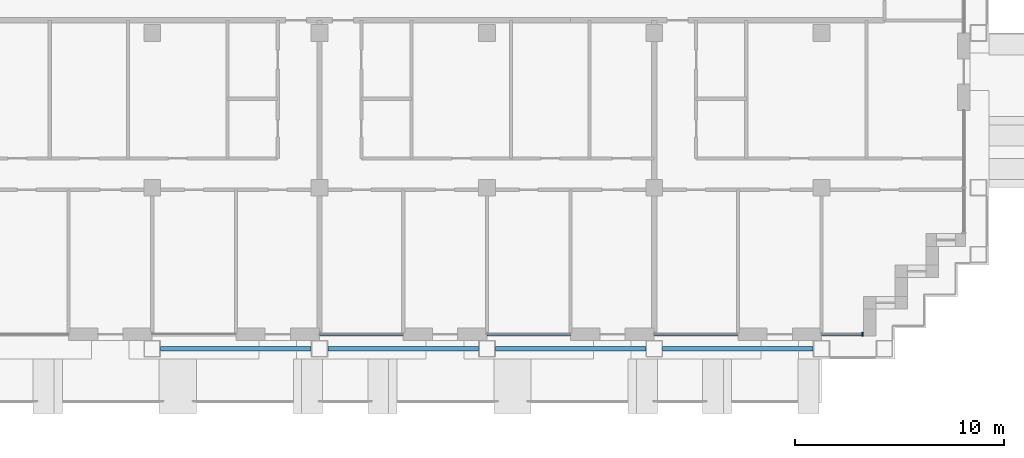
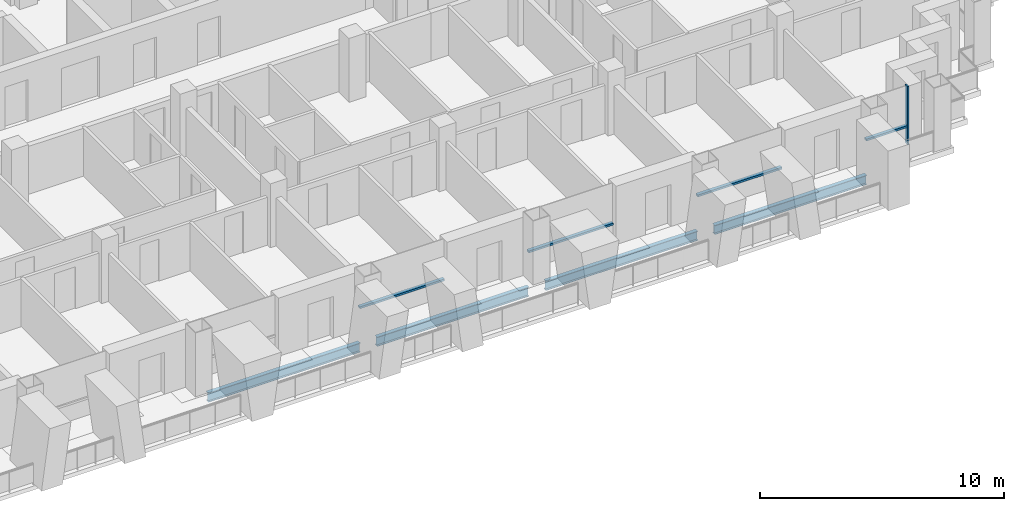
# One storey, part 3 of 17: 5 members, 4 beams, 4 elements without a shape of their own.
"""IFC4 building model written with IfcOpenShell, lengths in metres."""

import ifcopenshell
import ifcopenshell.guid

model = None  # the IFC model being written
_history = None  # IfcOwnerHistory: only IFC2X3 demands one
_inside = {}  # id of a spatial element -> (the spatial element, [elements in it])
_under = {}  # id of a project, library or spatial element -> (it, [spatial elements below it])
_declared = {}  # id of a project -> (the project, [libraries it declares])
_typed = {}  # id of a type object -> (the type object, [elements of that type])
_made_of = {}  # id of a material, layer set ... -> (it, [elements and type objects made of it])


def new_model(schema):
    """Start an empty IFC model of exactly this schema.

    Asked for "IFC4X3", IfcOpenShell would pick the latest addendum, in which some entities
    have other attributes; the version numbers below select the first issue.
    IFC2X3 requires an IfcOwnerHistory on every rooted entity: one is made here for all.
    """
    global model, _history
    if schema == "IFC4X3":
        model = ifcopenshell.file(schema_version=(4, 3, 0, 0))
    else:
        model = ifcopenshell.file(schema=schema)
    _inside.clear()
    _under.clear()
    _declared.clear()
    _typed.clear()
    _made_of.clear()
    _history = None
    if model.schema == "IFC2X3":
        org = make("IfcOrganization", Name="unknown")
        user = make(
            "IfcPersonAndOrganization",
            ThePerson=make("IfcPerson", FamilyName="unknown"),
            TheOrganization=org,
        )
        app = make(
            "IfcApplication",
            ApplicationDeveloper=org,
            Version="unknown",
            ApplicationFullName="unknown",
            ApplicationIdentifier="unknown",
        )
        _history = make(
            "IfcOwnerHistory",
            OwningUser=user,
            OwningApplication=app,
            ChangeAction="ADDED",
            CreationDate=0,
        )
    return model


def make(cls, **values):
    """One entity of the class cls with the attributes given. An attribute that is None is left unset."""
    return model.create_entity(
        cls, **{name: value for name, value in values.items() if value is not None}
    )


def rooted(cls, **values):
    """An entity with a GlobalId (a new one), such as an element, a storey or a relation."""
    return make(cls, GlobalId=ifcopenshell.guid.new(), OwnerHistory=_history, **values)


def si_unit(unit_type, name, prefix=None):
    """IfcSIUnit, for example si_unit("LENGTHUNIT", "METRE", prefix="MILLI")."""
    return make("IfcSIUnit", UnitType=unit_type, Prefix=prefix, Name=name)


def assignment(units):
    """IfcUnitAssignment: the units of a project."""
    return None if units is None else make("IfcUnitAssignment", Units=units)


def point(xyz):
    """IfcCartesianPoint."""
    return None if xyz is None else make("IfcCartesianPoint", Coordinates=xyz)


def direction(xyz):
    """IfcDirection."""
    return None if xyz is None else make("IfcDirection", DirectionRatios=xyz)


def frame(location, z_axis=None, x_axis=None):
    """IfcAxis2Placement3D, a coordinate frame: its origin and axes. An axis left out is left unset."""
    return make(
        "IfcAxis2Placement3D",
        Location=point(location),
        Axis=direction(z_axis),
        RefDirection=direction(x_axis),
    )


def frame_2d(location, x_axis=None):
    """IfcAxis2Placement2D, a coordinate frame in the plane: its origin and x axis."""
    return make(
        "IfcAxis2Placement2D", Location=point(location), RefDirection=direction(x_axis)
    )


def origin():
    """The frame at (0, 0, 0) with its axes left unset."""
    return frame((0.0, 0.0, 0.0))


def origin_2d():
    """The frame at (0, 0) in the plane with its x axis left unset."""
    return frame_2d((0.0, 0.0))


def place(relative_to, where):
    """IfcLocalPlacement: puts the frame where relative to a parent placement (None: the world)."""
    return make(
        "IfcLocalPlacement", PlacementRelTo=relative_to, RelativePlacement=where
    )


def context(
    kind, dimensions, precision=None, world=None, true_north=None, identifier=None
):
    """IfcGeometricRepresentationContext, for example the 3D "Model" context."""
    return make(
        "IfcGeometricRepresentationContext",
        ContextIdentifier=identifier,
        ContextType=kind,
        CoordinateSpaceDimension=dimensions,
        Precision=precision,
        WorldCoordinateSystem=world,
        TrueNorth=true_north,
    )


def subcontext(parent, identifier, kind, view, scale=None):
    """IfcGeometricRepresentationSubContext, for example "Body" below "Model"."""
    return make(
        "IfcGeometricRepresentationSubContext",
        ContextIdentifier=identifier,
        ContextType=kind,
        ParentContext=parent,
        TargetScale=scale,
        TargetView=view,
    )


def project(units=None, contexts=None):
    """IfcProject with its units and contexts."""
    return rooted(
        "IfcProject",
        Name="project",
        RepresentationContexts=contexts,
        UnitsInContext=assignment(units),
    )


def spatial(cls, under=None, at=None, **own):
    """A site, building, storey or space (cls), placed at a placement, below another one or the project."""
    s = rooted(cls, ObjectPlacement=at, **own)
    if under is not None:
        _under.setdefault(under.id(), (under, []))[1].append(s)
    return s


def profile(cls, at=None, kind="AREA", **sizes):
    """A parametric profile (cls). Its sizes go by their IFC names, for example OverallWidth=200.0."""
    return make(cls, ProfileType=kind, Position=at, **sizes)


def rectangle(**sizes):
    """IfcRectangleProfileDef."""
    return profile("IfcRectangleProfileDef", **sizes)


def i_section(**sizes):
    """IfcIShapeProfileDef."""
    return profile("IfcIShapeProfileDef", **sizes)


def extrude(swept, where, along, depth):
    """IfcExtrudedAreaSolid: the profile swept, set in the frame where, extruded along a direction by depth."""
    return make(
        "IfcExtrudedAreaSolid",
        SweptArea=swept,
        Position=where,
        ExtrudedDirection=direction(along),
        Depth=depth,
    )


def shape(context_of_items, identifier, shape_type, items):
    """IfcShapeRepresentation: the items that make up one representation, for example the "Body"."""
    return make(
        "IfcShapeRepresentation",
        ContextOfItems=context_of_items,
        RepresentationIdentifier=identifier,
        RepresentationType=shape_type,
        Items=items,
    )


def material(Name=None, Category=None):
    """IfcMaterial."""
    return make("IfcMaterial", Name=Name, Category=Category)


def material_profile(
    of_material, cross_section, Name=None, Category=None, Priority=None
):
    """IfcMaterialProfile: a cross section and its material."""
    return make(
        "IfcMaterialProfile",
        Name=Name,
        Material=of_material,
        Profile=cross_section,
        Priority=Priority,
        Category=Category,
    )


def profile_set(profiles, Name=None, composite=None):
    """IfcMaterialProfileSet."""
    return make(
        "IfcMaterialProfileSet",
        Name=Name,
        MaterialProfiles=profiles,
        CompositeProfile=composite,
    )


def made_of(thing, what):
    """Note that an element or type object is made of a material, layer set ...; save() writes the relation."""
    if what is not None:
        _made_of.setdefault(what.id(), (what, []))[1].append(thing)
    return thing


def type_object(cls, material=None, **own):
    """A type object (cls), such as IfcWallType, which elements share."""
    return made_of(rooted(cls, **own), material)


def element(
    cls,
    number,
    at=None,
    inside=None,
    cuts=None,
    type_object=None,
    material=None,
    context=None,
    identifier="Body",
    shape_type=None,
    held_by="IfcProductDefinitionShape",
    body=None,
    shapes=None,
    **own,
):
    """One element of the class cls, such as IfcWall. Its Tag is "e" and its number.

    at: its placement. inside: the storey or other place that contains it. cuts: it is an
    opening in that element (IfcRelVoidsElement). A single representation is given by context,
    identifier, shape_type and body (its items); several are given by shapes. held_by: the class
    of the entity that holds the representations. save() writes the other relations.
    """
    e = rooted(cls, Tag="e%d" % number, ObjectPlacement=at, **own)
    if body is not None:
        shapes = [shape(context, identifier, shape_type, body)]
    if shapes is not None:
        e.Representation = make(held_by, Representations=shapes)
    if inside is not None:
        _inside.setdefault(inside.id(), (inside, []))[1].append(e)
    if cuts is not None:
        rooted(
            "IfcRelVoidsElement", RelatingBuildingElement=cuts, RelatedOpeningElement=e
        )
    if type_object is not None:
        _typed.setdefault(type_object.id(), (type_object, []))[1].append(e)
    return made_of(e, material)


def aggregate(whole, parts):
    """IfcRelAggregates: a whole, such as a stair, and the parts it consists of."""
    return rooted("IfcRelAggregates", RelatingObject=whole, RelatedObjects=parts)


def save(model, path):
    """Write the relations noted so far, then the file.

    IfcRelAggregates (storeys below a building ...), IfcRelContainedInSpatialStructure (elements
    in a storey), IfcRelDefinesByType, IfcRelAssociatesMaterial and IfcRelDeclares: one each for
    every whole, place, type object, material and project.
    """
    for whole, parts in _under.values():
        aggregate(whole, parts)
    for where, things in _inside.values():
        rooted(
            "IfcRelContainedInSpatialStructure",
            RelatedElements=things,
            RelatingStructure=where,
        )
    for kind, things in _typed.values():
        rooted("IfcRelDefinesByType", RelatedObjects=things, RelatingType=kind)
    for what, things in _made_of.values():
        rooted("IfcRelAssociatesMaterial", RelatedObjects=things, RelatingMaterial=what)
    for by, libraries in _declared.values():
        rooted("IfcRelDeclares", RelatingContext=by, RelatedDefinitions=libraries)
    model.write(path)


model = new_model("IFC4")

# Units and contexts
model_context = context("Model", 3, precision=1e-05, world=origin(), true_north=direction((0.0, 1.0)))
body_context = subcontext(model_context, "Body", "Model", "MODEL_VIEW")
ifc_project = project(units=[si_unit("LENGTHUNIT", "METRE"), si_unit("AREAUNIT", "SQUARE_METRE"), si_unit("VOLUMEUNIT", "CUBIC_METRE"), si_unit("PLANEANGLEUNIT", "RADIAN"), si_unit("MASSUNIT", "GRAM", prefix="KILO")], contexts=[model_context])

# Site, building, storey
site_placement = place(None, origin())
site = spatial("IfcSite", under=ifc_project, at=site_placement, CompositionType="ELEMENT")
building_placement = place(site_placement, origin())
building = spatial("IfcBuilding", under=site, at=building_placement, Name="Vidyagriha Tower", CompositionType="ELEMENT")
storey_placement = place(building_placement, frame((0.0, 0.0, 119.800048828125)))
storey = spatial("IfcBuildingStorey", under=building, at=storey_placement, Name="L30", CompositionType="ELEMENT", Elevation=119.800048828125)

# Beams
ifc_material_1 = material(Name="Steel ASTM A992 Grade 50", Category="steel")
ifc_material_profile_1 = material_profile(ifc_material_1, i_section(OverallWidth=0.19189453125, OverallDepth=0.46240234375, WebThickness=0.010498046875, FlangeThickness=0.017578125, at=origin_2d()), Name="W18X60")
ifc_profile_set_1 = profile_set([ifc_material_profile_1], Name="Steel ASTM A992 Grade 50")
beam_type = type_object("IfcBeamType", Name="Edge beam W18X60", PredefinedType="SPANDREL", material=ifc_profile_set_1)
for number, where, z_axis, x_axis, name in (
    (1, (-5.60009765625, -17.10009765625, -0.51123046875), (1.0, 0.0, 0.0), (0.0, 1.0, 0.0), "st-beam-L30-S02"),
    (2, (2.39990234375, -17.10009765625, -0.51123046875), (1.0, 0.0, 0.0), (0.0, 1.0, 0.0), "st-beam-L30-S03"),
    (3, (10.39990234375, -17.10009765625, -0.51123046875), (1.0, 0.0, 0.0), (0.0, 1.0, 0.0), "st-beam-L30-S04"),
    (4, (18.39990234375, -17.10009765625, -0.51123046875), (1.0, 0.0, 0.0), (0.0, 1.0, 0.0), "st-beam-L30-S05"),
):
    element("IfcBeam", number, at=place(storey_placement, frame(where, z_axis=z_axis, x_axis=x_axis)), inside=storey, type_object=beam_type, Name=name, PredefinedType="SPANDREL", context=body_context, shape_type="SweptSolid", body=[
        extrude(i_section(OverallWidth=0.19189453125, OverallDepth=0.46240234375, WebThickness=0.010498046875, FlangeThickness=0.017578125, at=origin_2d()), origin(), (0.0, 0.0, 1.0), 7.2001953125),
    ])

# Curtain wall, member
ifc_material_2 = material(Name="Aluminium and glass curtain wall", Category="aluminium")
curtain_wall_type = type_object("IfcCurtainWallType", Name="Dwelling skin unitised curtain wall", PredefinedType="USERDEFINED", material=ifc_material_2)
curtain_wall_1_placement = place(storey_placement, origin())
curtain_wall_1 = element("IfcCurtainWall", 5, at=curtain_wall_1_placement, inside=storey, type_object=curtain_wall_type, Name="CW1 dwelling skin", ObjectType="UNITISED", PredefinedType="USERDEFINED")
ifc_material_3 = material(Name="Aluminium black anodised", Category="aluminium")
ifc_material_profile_2 = material_profile(ifc_material_3, rectangle(XDim=0.199951171875, YDim=0.070068359375, at=origin_2d()), Name="Mullion 70x200 black aluminium")
ifc_profile_set_2 = profile_set([ifc_material_profile_2], Name="Aluminium black anodised")
member_type_1 = type_object("IfcMemberType", Name="Mullion 70x200 black aluminium", PredefinedType="MULLION", material=ifc_profile_set_2)
member_1_placement = place(storey_placement, frame((27.965087890625, -16.39990234375, 0.0), z_axis=(0.0, 0.0, 1.0), x_axis=(0.0, 1.0, 0.0)))
member_1 = element("IfcMember", 6, at=member_1_placement, type_object=member_type_1, Name="CW1 mullion 2", PredefinedType="MULLION", context=body_context, shape_type="SweptSolid", body=[
    extrude(rectangle(XDim=0.199951171875, YDim=0.070068359375, at=origin_2d()), origin(), (0.0, 0.0, 1.0), 2.919921875),
])

curtain_wall_2_placement = place(storey_placement, origin())
curtain_wall_2 = element("IfcCurtainWall", 7, at=curtain_wall_2_placement, inside=storey, type_object=curtain_wall_type, Name="CW1 dwelling skin", ObjectType="UNITISED", PredefinedType="USERDEFINED")
ifc_material_4 = material(Name="Aluminium black anodised", Category="aluminium")
ifc_material_profile_3 = material_profile(ifc_material_4, rectangle(XDim=0.159912109375, YDim=0.10009765625, at=origin_2d()), Name="Transom 100x160 black aluminium")
ifc_profile_set_3 = profile_set([ifc_material_profile_3], Name="Aluminium black anodised")
member_type_2 = type_object("IfcMemberType", Name="Transom 100x160 black aluminium", PredefinedType="USERDEFINED", material=ifc_profile_set_3)
member_2_placement = place(storey_placement, frame((2.0, -16.39990234375, 0.89990234375), z_axis=(1.0, 0.0, 0.0), x_axis=(0.0, 1.0, 0.0)))
member_2 = element("IfcMember", 8, at=member_2_placement, type_object=member_type_2, Name="CW1 transom 1.1", ObjectType="TRANSOM", PredefinedType="USERDEFINED", context=body_context, shape_type="SweptSolid", body=[
    extrude(rectangle(XDim=0.159912109375, YDim=0.10009765625, at=origin_2d()), origin(), (0.0, 0.0, 1.0), 4.0),
])
aggregate(curtain_wall_2, [member_2])

curtain_wall_3_placement = place(storey_placement, origin())
curtain_wall_3 = element("IfcCurtainWall", 9, at=curtain_wall_3_placement, inside=storey, type_object=curtain_wall_type, Name="CW1 dwelling skin", ObjectType="UNITISED", PredefinedType="USERDEFINED")
member_3_placement = place(storey_placement, frame((10.0, -16.39990234375, 0.89990234375), z_axis=(1.0, 0.0, 0.0), x_axis=(0.0, 1.0, 0.0)))
member_3 = element("IfcMember", 10, at=member_3_placement, type_object=member_type_2, Name="CW1 transom 1.1", ObjectType="TRANSOM", PredefinedType="USERDEFINED", context=body_context, shape_type="SweptSolid", body=[
    extrude(rectangle(XDim=0.159912109375, YDim=0.10009765625, at=origin_2d()), origin(), (0.0, 0.0, 1.0), 4.0),
])
aggregate(curtain_wall_3, [member_3])

curtain_wall_4_placement = place(storey_placement, origin())
curtain_wall_4 = element("IfcCurtainWall", 11, at=curtain_wall_4_placement, inside=storey, type_object=curtain_wall_type, Name="CW1 dwelling skin", ObjectType="UNITISED", PredefinedType="USERDEFINED")
member_4_placement = place(storey_placement, frame((18.0, -16.39990234375, 0.89990234375), z_axis=(1.0, 0.0, 0.0), x_axis=(0.0, 1.0, 0.0)))
member_4 = element("IfcMember", 12, at=member_4_placement, type_object=member_type_2, Name="CW1 transom 1.1", ObjectType="TRANSOM", PredefinedType="USERDEFINED", context=body_context, shape_type="SweptSolid", body=[
    extrude(rectangle(XDim=0.159912109375, YDim=0.10009765625, at=origin_2d()), origin(), (0.0, 0.0, 1.0), 4.0),
])
aggregate(curtain_wall_4, [member_4])

# Member
member_5_placement = place(storey_placement, frame((26.0, -16.39990234375, 0.89990234375), z_axis=(1.0, 0.0, 0.0), x_axis=(0.0, 1.0, 0.0)))
member_5 = element("IfcMember", 13, at=member_5_placement, type_object=member_type_2, Name="CW1 transom 1.1", ObjectType="TRANSOM", PredefinedType="USERDEFINED", context=body_context, shape_type="SweptSolid", body=[
    extrude(rectangle(XDim=0.159912109375, YDim=0.10009765625, at=origin_2d()), origin(), (0.0, 0.0, 1.0), 1.929931640625),
])

aggregate(curtain_wall_1, [member_1, member_5])

save(model, "model.ifc")
